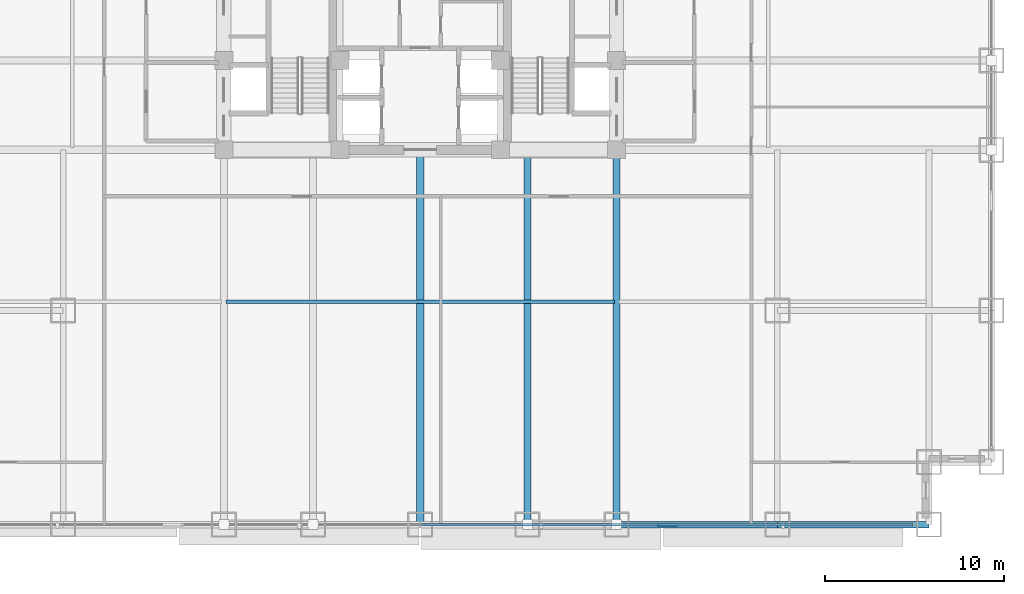
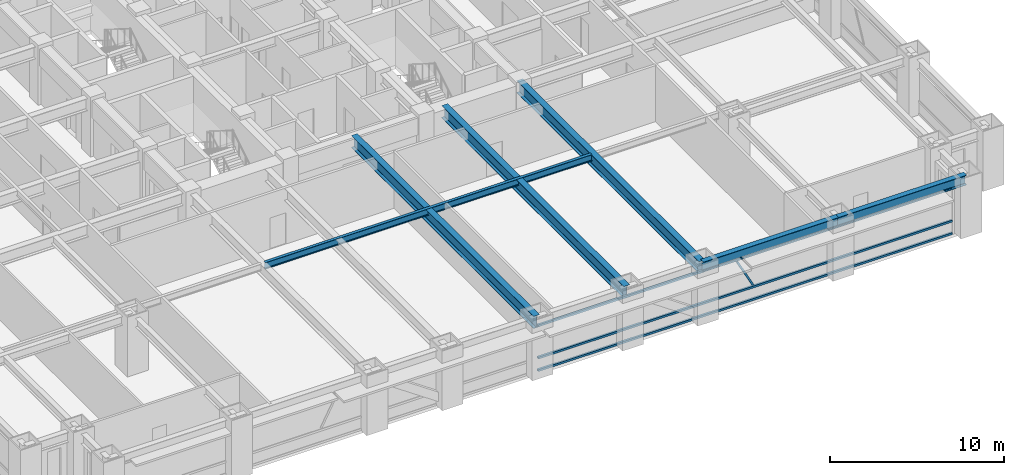
# One storey, part 5 of 32: 6 beams, 4 members, 1 element without a shape of its own.
"""IFC4 building model written with IfcOpenShell, lengths in metres."""

from ifc_helpers import new_model, si_unit, direction, frame, origin, origin_2d, place, context, subcontext, project, spatial, hollow_rectangle, i_section, extrude, source, transform, mapped, material, material_profile, profile_set, type_object, element, aggregate, save


model = new_model("IFC4")

# Units and contexts
model_context = context("Model", 3, precision=1e-05, world=origin(), true_north=direction((0.0, 1.0)))
body_context = subcontext(model_context, "Body", "Model", "MODEL_VIEW")
ifc_project = project(units=[si_unit("LENGTHUNIT", "METRE"), si_unit("AREAUNIT", "SQUARE_METRE"), si_unit("VOLUMEUNIT", "CUBIC_METRE"), si_unit("PLANEANGLEUNIT", "RADIAN"), si_unit("MASSUNIT", "GRAM", prefix="KILO")], contexts=[model_context])

# Site, building, storey
site_placement = place(None, origin())
site = spatial("IfcSite", under=ifc_project, at=site_placement, CompositionType="ELEMENT")
building_placement = place(site_placement, origin())
building = spatial("IfcBuilding", under=site, at=building_placement, Name="Khorayat Bourse Tower", CompositionType="ELEMENT")
storey_placement = place(building_placement, frame((0.0, 0.0, 78.800048828125)))
storey = spatial("IfcBuildingStorey", under=building, at=storey_placement, Name="L17", CompositionType="ELEMENT", Elevation=78.800048828125)

# Beams
ifc_material_1 = material(Name="Steel ASTM A992 Grade 50", Category="steel")
ifc_material_profile_1 = material_profile(ifc_material_1, i_section(OverallWidth=0.35498046875, OverallDepth=0.695068359375, WebThickness=0.015380859375, FlangeThickness=0.02490234375, FilletRadius=0.01806640625, at=origin_2d()), Name="W690X217")
ifc_profile_set_1 = profile_set([ifc_material_profile_1], Name="Steel ASTM A992 Grade 50")
beam_type_1 = type_object("IfcBeamType", Name="BM-SPAN-690", PredefinedType="SPANDREL", material=ifc_profile_set_1)
shared_shape_1 = source(origin(), body_context, "Body", "SweptSolid", [
    extrude(i_section(OverallWidth=0.35498046875, OverallDepth=0.695068359375, WebThickness=0.015380859375, FlangeThickness=0.02490234375, FilletRadius=0.01806640625, at=origin_2d()), origin(), (0.0, 0.0, 1.0), 8.5),
])
beam_1_placement = place(storey_placement, frame((20.0, -32.0, 3.592529296875), z_axis=(1.0, 0.0, 0.0), x_axis=(0.0, 1.0, 0.0)))
element("IfcBeam", 1, at=beam_1_placement, inside=storey, type_object=beam_type_1, Name="L17 BM-SPAN-690 BM-L17-SPN-031", PredefinedType="SPANDREL", context=body_context, shape_type="MappedRepresentation", body=[
    mapped(shared_shape_1, transform((0.0, 0.0, 0.0), scale=1.0)),
])
shared_shape_2 = source(origin(), body_context, "Body", "SweptSolid", [
    extrude(i_section(OverallWidth=0.35498046875, OverallDepth=0.695068359375, WebThickness=0.015380859375, FlangeThickness=0.02490234375, FilletRadius=0.01806640625, at=origin_2d()), origin(), (0.0, 0.0, 1.0), 9.0),
])
beam_2_placement = place(storey_placement, frame((11.0, -32.0, 3.592529296875), z_axis=(1.0, 0.0, 0.0), x_axis=(0.0, 1.0, 0.0)))
element("IfcBeam", 2, at=beam_2_placement, inside=storey, type_object=beam_type_1, Name="L17 BM-SPAN-690 BM-L17-SPN-030", PredefinedType="SPANDREL", context=body_context, shape_type="MappedRepresentation", body=[
    mapped(shared_shape_2, transform((0.0, 0.0, 0.0), scale=1.0)),
])
ifc_material_profile_2 = material_profile(ifc_material_1, i_section(OverallWidth=0.39990234375, OverallDepth=0.85498046875, WebThickness=0.018310546875, FlangeThickness=0.029296875, FilletRadius=0.02001953125, at=origin_2d()), Name="W840X299")
ifc_profile_set_2 = profile_set([ifc_material_profile_2], Name="Steel ASTM A992 Grade 50")
beam_type_2 = type_object("IfcBeamType", Name="BM-GIRD-840", PredefinedType="BEAM", material=ifc_profile_set_2)
shared_shape_3 = source(origin(), body_context, "Body", "SweptSolid", [
    extrude(i_section(OverallWidth=0.39990234375, OverallDepth=0.85498046875, WebThickness=0.018310546875, FlangeThickness=0.029296875, FilletRadius=0.02001953125, at=origin_2d()), origin(), (0.0, 0.0, 1.0), 21.0),
])
for number, where, z_axis, x_axis, name in (
    (3, (0.0, -32.0, 3.512451171875), (0.0, 1.0, 0.0), (-1.0, 0.0, 0.0), "L17 BM-GIRD-840 BM-L17-RADY-069"),
    (4, (6.0, -32.0, 3.512451171875), (0.0, 1.0, 0.0), (-1.0, 0.0, 0.0), "L17 BM-GIRD-840 BM-L17-RADY-071"),
    (5, (11.0, -32.0, 3.512451171875), (0.0, 1.0, 0.0), (-1.0, 0.0, 0.0), "L17 BM-GIRD-840 BM-L17-RADY-073"),
):
    element("IfcBeam", number, at=place(storey_placement, frame(where, z_axis=z_axis, x_axis=x_axis)), inside=storey, type_object=beam_type_2, Name=name, PredefinedType="BEAM", context=body_context, shape_type="MappedRepresentation", body=[
        mapped(shared_shape_3, transform((0.0, 0.0, 0.0), scale=1.0)),
    ])
ifc_material_profile_3 = material_profile(ifc_material_1, i_section(OverallWidth=0.194091796875, OverallDepth=0.468994140625, WebThickness=0.0126953125, FlangeThickness=0.0205078125, FilletRadius=0.012939453125, at=origin_2d()), Name="W460X106")
ifc_profile_set_3 = profile_set([ifc_material_profile_3], Name="Steel ASTM A992 Grade 50")
beam_type_3 = type_object("IfcBeamType", Name="BM-JOIST-460", PredefinedType="JOIST", material=ifc_profile_set_3)
shared_shape_4 = source(origin(), body_context, "Body", "SweptSolid", [
    extrude(i_section(OverallWidth=0.194091796875, OverallDepth=0.468994140625, WebThickness=0.0126953125, FlangeThickness=0.0205078125, FilletRadius=0.012939453125, at=origin_2d()), origin(), (0.0, 0.0, 1.0), 21.740234375),
])
beam_3_placement = place(storey_placement, frame((-10.8701171875, -19.5, 3.70556640625), z_axis=(1.0, 0.0, 0.0), x_axis=(0.0, 1.0, 0.0)))
element("IfcBeam", 6, at=beam_3_placement, inside=storey, type_object=beam_type_3, Name="L17 BM-JOIST-460 BM-L17-JSTX-097", PredefinedType="JOIST", context=body_context, shape_type="MappedRepresentation", body=[
    mapped(shared_shape_4, transform((0.0, 0.0, 0.0), scale=1.0)),
])

# Curtain wall, members
ifc_material_2 = material(Name="Aluminium EN AW-6063 T6", Category="aluminium")
curtain_wall_type = type_object("IfcCurtainWallType", Name="CW-SYS-02", PredefinedType="NOTDEFINED", material=ifc_material_2)
curtain_wall_placement = place(storey_placement, origin())
curtain_wall = element("IfcCurtainWall", 7, at=curtain_wall_placement, inside=storey, type_object=curtain_wall_type, Name="L17 Curtain Wall CW-L17-S1", PredefinedType="NOTDEFINED")
ifc_material_profile_4 = material_profile(ifc_material_2, hollow_rectangle(XDim=0.1201171875, YDim=0.1201171875, WallThickness=0.0048828125, at=origin_2d()), Name="ALU 120x120x5")
ifc_profile_set_4 = profile_set([ifc_material_profile_4], Name="Aluminium EN AW-6063 T6")
member_type_1 = type_object("IfcMemberType", Name="CWM-DIAG-120", PredefinedType="MULLION", material=ifc_profile_set_4)
shared_shape_5 = source(origin(), body_context, "Body", "SweptSolid", [
    extrude(hollow_rectangle(XDim=0.1201171875, YDim=0.1201171875, WallThickness=0.0048828125, at=origin_2d()), origin(), (0.0, 0.0, 1.0), 2.226318359375),
])
member_1_placement = place(storey_placement, frame((14.3583984375, -32.0, 1.099853515625), z_axis=(-0.465714796031, 0.0, 0.884934872608), x_axis=(0.0, -1.0, 0.0)))
member_1 = element("IfcMember", 8, at=member_1_placement, type_object=member_type_1, Name="CW-L17-S1 Faceted Diagonal Mullion 2", PredefinedType="MULLION", context=body_context, shape_type="MappedRepresentation", body=[
    mapped(shared_shape_5, transform((0.0, 0.0, 0.0), scale=1.0)),
])
ifc_material_profile_5 = material_profile(ifc_material_2, hollow_rectangle(XDim=0.139892578125, YDim=0.139892578125, WallThickness=0.006103515625, at=origin_2d()), Name="ALU 140x140x6")
ifc_profile_set_5 = profile_set([ifc_material_profile_5], Name="Aluminium EN AW-6063 T6")
member_type_2 = type_object("IfcMemberType", Name="CWT-HORZ-140", PredefinedType="USERDEFINED", material=ifc_profile_set_5)
shared_shape_6 = source(origin(), body_context, "Body", "SweptSolid", [
    extrude(hollow_rectangle(XDim=0.139892578125, YDim=0.139892578125, WallThickness=0.006103515625, at=origin_2d()), origin(), (0.0, 0.0, 1.0), 27.5400390625),
])
member_2_placement = place(storey_placement, frame((0.070068359375, -32.0, 0.070068359375), z_axis=(1.0, 0.0, 0.0), x_axis=(0.0, 1.0, 0.0)))
member_2 = element("IfcMember", 9, at=member_2_placement, type_object=member_type_2, Name="CW-L17-S1 Horizontal Transom 2-1", ObjectType="TRANSOM", PredefinedType="USERDEFINED", context=body_context, shape_type="MappedRepresentation", body=[
    mapped(shared_shape_6, transform((0.0, 0.0, 0.0), scale=1.0)),
])
member_3_placement = place(storey_placement, frame((0.070068359375, -32.0, 0.949951171875), z_axis=(1.0, 0.0, 0.0), x_axis=(0.0, 1.0, 0.0)))
member_3 = element("IfcMember", 10, at=member_3_placement, type_object=member_type_2, Name="CW-L17-S1 Horizontal Transom 2-2", ObjectType="TRANSOM", PredefinedType="USERDEFINED", context=body_context, shape_type="MappedRepresentation", body=[
    mapped(shared_shape_6, transform((0.0, 0.0, 0.0), scale=1.0)),
])
member_4_placement = place(storey_placement, frame((0.070068359375, -32.0, 3.219970703125), z_axis=(1.0, 0.0, 0.0), x_axis=(0.0, 1.0, 0.0)))
member_4 = element("IfcMember", 11, at=member_4_placement, type_object=member_type_2, Name="CW-L17-S1 Horizontal Transom 2-3", ObjectType="TRANSOM", PredefinedType="USERDEFINED", context=body_context, shape_type="MappedRepresentation", body=[
    mapped(shared_shape_6, transform((0.0, 0.0, 0.0), scale=1.0)),
])
aggregate(curtain_wall, [member_2, member_3, member_4, member_1])

save(model, "model.ifc")
